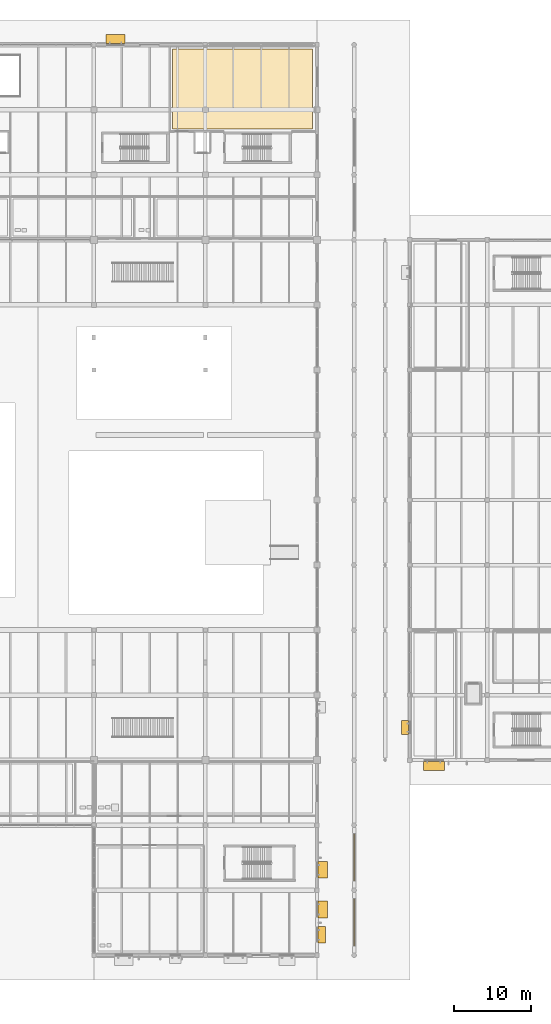
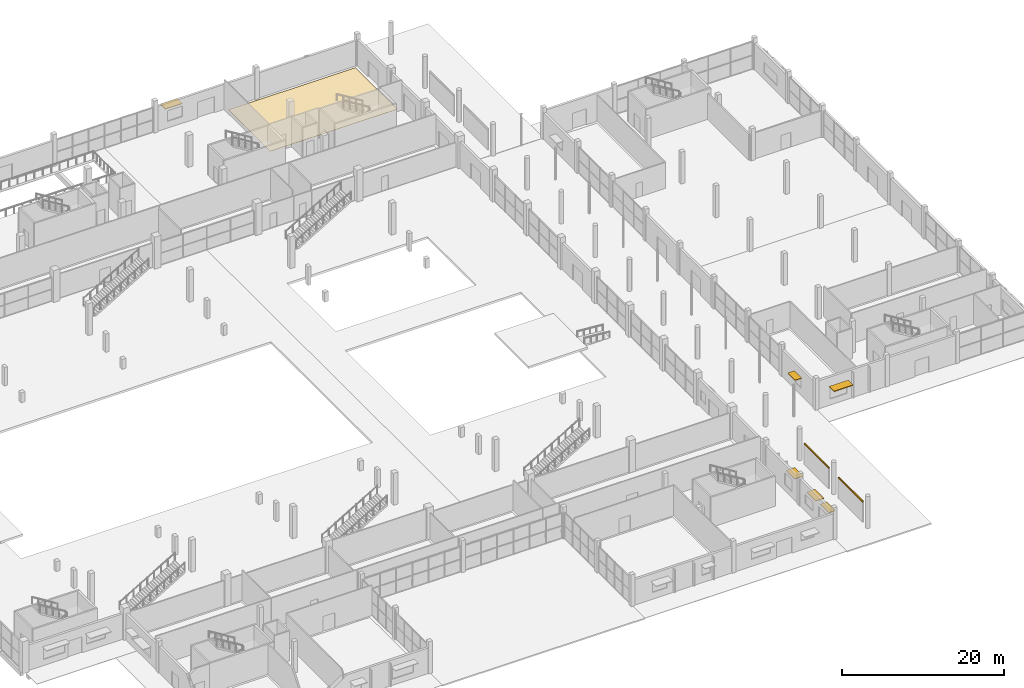
# One storey, part 124 of 130: 8 shading devices, 1 covering.
"""IFC4 building model written with IfcOpenShell, lengths in metres."""

from ifc_helpers import new_model, si_unit, direction, frame, origin, origin_2d, place, context, subcontext, project, spatial, polyline, rectangle, outline, extrude, material, layer, layer_set, type_object, element, save


model = new_model("IFC4")

# Units and contexts
model_context = context("Model", 3, precision=1e-05, world=origin(), true_north=direction((0.0, 1.0)))
body_context = subcontext(model_context, "Body", "Model", "MODEL_VIEW")
ifc_project = project(units=[si_unit("LENGTHUNIT", "METRE"), si_unit("AREAUNIT", "SQUARE_METRE"), si_unit("VOLUMEUNIT", "CUBIC_METRE"), si_unit("PLANEANGLEUNIT", "RADIAN"), si_unit("MASSUNIT", "GRAM", prefix="KILO"), si_unit("THERMODYNAMICTEMPERATUREUNIT", "KELVIN")], contexts=[model_context])

# Site, building, storey
site_placement = place(None, origin())
site = spatial("IfcSite", under=ifc_project, at=site_placement, CompositionType="ELEMENT")
building_placement = place(site_placement, origin())
building = spatial("IfcBuilding", under=site, at=building_placement, Name="Nduvali Passage Aquatics Centre", CompositionType="ELEMENT")
storey_placement = place(building_placement, origin())
storey = spatial("IfcBuildingStorey", under=building, at=storey_placement, Name="L00", CompositionType="ELEMENT", Elevation=0.0)

# Shading devices
ifc_material_1 = material(Name="Coral-stone masonry blockwork", Category="masonry")
ifc_layer_1 = layer(ifc_material_1, 0.199951171875, Name="Coral-stone masonry blockwork")
ifc_layer_set_1 = layer_set([ifc_layer_1], Name="Coral-stone masonry blockwork")
shading_device_type_1 = type_object("IfcShadingDeviceType", Name="ENV-SHD-JAL1", PredefinedType="JALOUSIE", material=ifc_layer_set_1)
for number, where, z_axis, x_axis, name in (
    (1, (130.800048828125, 4.199951171875, 2.990234375), (0.0, 0.0, 1.0), (0.0, 1.0, 0.0), "L00 Monsoon Jalousie Grille 01"),
    (2, (130.800048828125, 12.60009765625, 2.990234375), (0.0, 0.0, 1.0), (0.0, 1.0, 0.0), "L00 Monsoon Jalousie Grille 02"),
):
    element("IfcShadingDevice", number, at=place(storey_placement, frame(where, z_axis=z_axis, x_axis=x_axis)), inside=storey, type_object=shading_device_type_1, Name=name, PredefinedType="JALOUSIE", context=body_context, shape_type="SweptSolid", body=[
        extrude(rectangle(XDim=6.0, YDim=0.139892578125, at=origin_2d()), origin(), (0.0, 0.0, 1.0), 0.199951171875),
    ])
ifc_material_2 = material(Name="Aluminium EN AW-6063 T6", Category="aluminium")
ifc_layer_2 = layer(ifc_material_2, 0.090087890625, Name="Aluminium EN AW-6063 T6")
ifc_layer_set_2 = layer_set([ifc_layer_2], Name="Aluminium EN AW-6063 T6")
shading_device_type_2 = type_object("IfcShadingDeviceType", Name="ENV-SHD-SUN1", PredefinedType="AWNING", material=ifc_layer_set_2)
shading_device_1_placement = place(storey_placement, frame((126.75, 5.927001953125, 2.55517578125), z_axis=(0.0, 0.0, 1.0), x_axis=(0.0, 1.0, 0.0)))
element("IfcShadingDevice", 3, at=shading_device_1_placement, inside=storey, type_object=shading_device_type_2, Name="L00 Horizontal Monsoon Sunshade 0017", PredefinedType="AWNING", context=body_context, shape_type="SweptSolid", body=[
    extrude(rectangle(XDim=2.199951171875, YDim=1.199951171875, at=origin_2d()), origin(), (0.0, 0.0, 1.0), 0.090087890625),
])
shading_device_2_placement = place(storey_placement, frame((126.75, 11.030029296875, 2.7548828125), z_axis=(0.0, 0.0, 1.0), x_axis=(0.0, 1.0, 0.0)))
element("IfcShadingDevice", 4, at=shading_device_2_placement, inside=storey, type_object=shading_device_type_2, Name="L00 Horizontal Monsoon Sunshade 0019", PredefinedType="AWNING", context=body_context, shape_type="SweptSolid", body=[
    extrude(rectangle(XDim=2.10009765625, YDim=1.199951171875, at=origin_2d()), origin(), (0.0, 0.0, 1.0), 0.090087890625),
])
shading_device_3_placement = place(storey_placement, frame((99.98388671875, 118.35009765625, 2.65478515625), z_axis=(0.0, 0.0, 1.0), x_axis=(-1.0, 0.0, 0.0)))
element("IfcShadingDevice", 5, at=shading_device_3_placement, inside=storey, type_object=shading_device_type_2, Name="L00 Horizontal Monsoon Sunshade 0093", PredefinedType="AWNING", context=body_context, shape_type="SweptSolid", body=[
    extrude(rectangle(XDim=2.39990234375, YDim=1.199951171875, at=origin_2d()), origin(), (0.0, 0.0, 1.0), 0.090087890625),
])
shading_device_4_placement = place(storey_placement, frame((141.110107421875, 24.449951171875, 2.7548828125), z_axis=(0.0, 0.0, 1.0), x_axis=(1.0, 0.0, 0.0)))
element("IfcShadingDevice", 6, at=shading_device_4_placement, inside=storey, type_object=shading_device_type_2, Name="L00 Horizontal Monsoon Sunshade 0125", PredefinedType="AWNING", context=body_context, shape_type="SweptSolid", body=[
    extrude(rectangle(XDim=2.699951171875, YDim=1.199951171875, at=origin_2d()), origin(), (0.0, 0.0, 1.0), 0.090087890625),
])
ifc_layer_3 = layer(ifc_material_2, 0.080078125, Name="Aluminium EN AW-6063 T6")
ifc_layer_set_3 = layer_set([ifc_layer_3], Name="Aluminium EN AW-6063 T6")
shading_device_type_3 = type_object("IfcShadingDeviceType", Name="ENV-SHD-SUN2", PredefinedType="AWNING", material=ifc_layer_set_3)
shading_device_5_placement = place(storey_placement, frame((126.625, 2.6298828125, 2.760009765625), z_axis=(0.0, 0.0, 1.0), x_axis=(0.0, 1.0, 0.0)))
element("IfcShadingDevice", 7, at=shading_device_5_placement, inside=storey, type_object=shading_device_type_3, Name="L00 Horizontal Monsoon Sunshade 0016", PredefinedType="AWNING", context=body_context, shape_type="SweptSolid", body=[
    extrude(rectangle(XDim=2.10009765625, YDim=0.949951171875, at=origin_2d()), origin(), (0.0, 0.0, 1.0), 0.080078125),
])
shading_device_6_placement = place(storey_placement, frame((137.375, 29.39990234375, 2.60986328125), z_axis=(0.0, 0.0, 1.0), x_axis=(0.0, -1.0, 0.0)))
element("IfcShadingDevice", 8, at=shading_device_6_placement, inside=storey, type_object=shading_device_type_3, Name="L00 Horizontal Monsoon Sunshade 0128", PredefinedType="AWNING", context=body_context, shape_type="SweptSolid", body=[
    extrude(rectangle(XDim=1.800048828125, YDim=0.949951171875, at=origin_2d()), origin(), (0.0, 0.0, 1.0), 0.080078125),
])

# Covering
ifc_material_3 = material(Name="Polished coral-aggregate terrazzo")
ifc_layer_4 = layer(ifc_material_3, 0.030029296875, Name="Polished coral-aggregate terrazzo")
ifc_layer_set_4 = layer_set([ifc_layer_4], Name="Polished coral-aggregate terrazzo")
covering_type = type_object("IfcCoveringType", Name="INT-COV-TERRAZZO", PredefinedType="FLOORING", material=ifc_layer_set_4)
covering_placement = place(storey_placement, origin())
element("IfcCovering", 9, at=covering_placement, inside=storey, type_object=covering_type, Name="L00 Campus Security and Building Management Office Floor Finish", PredefinedType="FLOORING", context=body_context, shape_type="SweptSolid", body=[
    extrude(outline(polyline([(107.35009765625, 106.75), (125.449951171875, 106.75), (125.449951171875, 117.070068359375), (107.35009765625, 117.070068359375), (107.35009765625, 106.75)])), origin(), (0.0, 0.0, 1.0), 0.030029296875),
])

save(model, "model.ifc")
